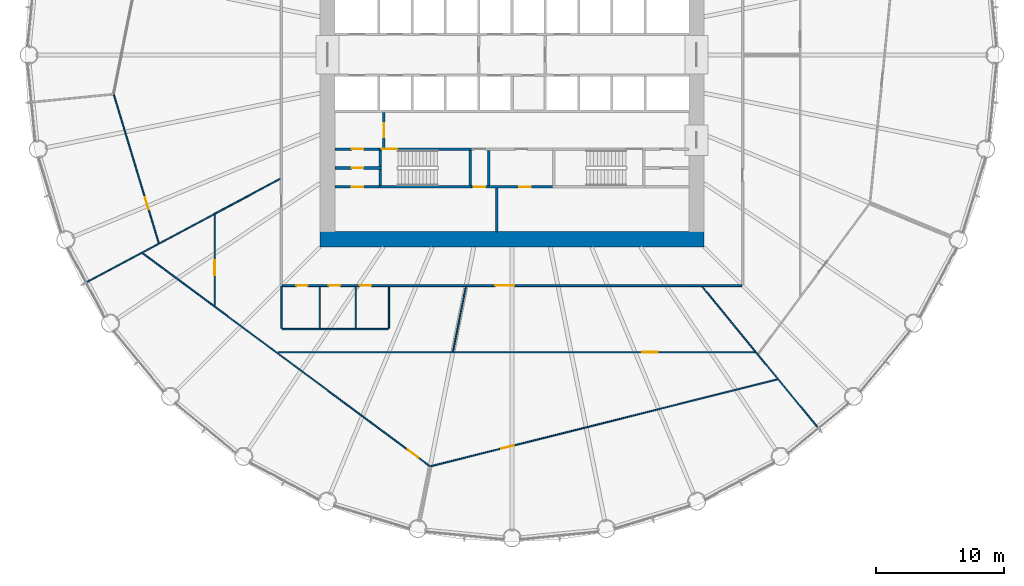
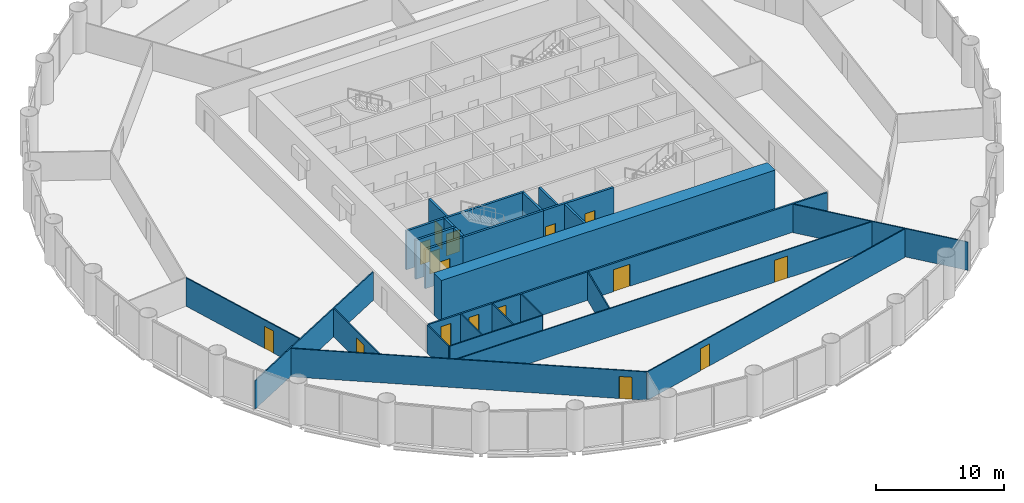
# One storey, part 10 of 15: 27 walls, 16 doors, 16 openings.
"""IFC4 building model written with IfcOpenShell, lengths in metres."""

from ifc_helpers import new_model, si_unit, direction, frame, frame_2d, origin, place, context, subcontext, project, spatial, polyline, rectangle, outline, extrude, material, layer, layer_set, type_object, element, fill, save


model = new_model("IFC4")

# Units and contexts
model_context = context("Model", 3, precision=1e-05, world=origin(), true_north=direction((0.0, 1.0)))
body_context = subcontext(model_context, "Body", "Model", "MODEL_VIEW")
ifc_project = project(units=[si_unit("LENGTHUNIT", "METRE"), si_unit("AREAUNIT", "SQUARE_METRE"), si_unit("VOLUMEUNIT", "CUBIC_METRE"), si_unit("PLANEANGLEUNIT", "RADIAN"), si_unit("MASSUNIT", "GRAM", prefix="KILO")], contexts=[model_context])

# Site, building, storey
site_placement = place(None, origin())
site = spatial("IfcSite", under=ifc_project, at=site_placement, CompositionType="ELEMENT")
building_placement = place(site_placement, origin())
building = spatial("IfcBuilding", under=site, at=building_placement, Name="Corvane Civic Tower", CompositionType="ELEMENT")
storey_placement = place(building_placement, frame((0.0, 0.0, 41.0)))
storey = spatial("IfcBuildingStorey", under=building, at=storey_placement, Name="L08", CompositionType="ELEMENT", Elevation=41.0)

# Wall
ifc_material_1 = material(Name="Concrete C80/95", Category="concrete")
ifc_layer_1 = layer(ifc_material_1, 1.199951171875)
ifc_layer_set_1 = layer_set([ifc_layer_1], Name="Concrete C80/95")
wall_type_1 = type_object("IfcWallType", Name="CORE WALL 1200 C80/95", PredefinedType="SHEAR", material=ifc_layer_set_1)
wall_1_placement = place(storey_placement, frame((-15.0, -14.39990234375, 0.0), z_axis=(0.0, 0.0, 1.0), x_axis=(1.0, 0.0, 0.0)))
element("IfcWall", 1, at=wall_1_placement, inside=storey, type_object=wall_type_1, Name="W-L08-core-S", PredefinedType="SHEAR", context=body_context, shape_type="SweptSolid", body=[
    extrude(rectangle(XDim=30.0, YDim=1.199951171875, at=frame_2d((15.0, 0.0))), origin(), (0.0, 0.0, 1.0), 4.0),
])

# Wall, opening, door
ifc_material_2 = material(Name="Concrete C30/37", Category="concrete")
ifc_layer_2 = layer(ifc_material_2, 0.199951171875)
ifc_layer_set_2 = layer_set([ifc_layer_2], Name="Concrete C30/37")
wall_type_2 = type_object("IfcWallType", Name="CR-WALL-200", PredefinedType="PARTITIONING", material=ifc_layer_set_2)
wall_2_placement = place(storey_placement, frame((-13.800048828125, -10.300048828125, 0.0), z_axis=(0.0, 0.0, 1.0), x_axis=(1.0, 0.0, 0.0)))
wall_2 = element("IfcWall", 2, at=wall_2_placement, inside=storey, type_object=wall_type_2, Name="L08 partition wall", PredefinedType="PARTITIONING", context=body_context, shape_type="SweptSolid", body=[
    extrude(rectangle(XDim=3.400146484375, YDim=0.199951171875, at=frame_2d((1.7001953125, 0.0))), origin(), (0.0, 0.0, 1.0), 3.699951171875),
])
opening_1_placement = place(wall_2_placement, frame((1.300048828125, 0.0, 0.0)))
opening_1 = element("IfcOpeningElement", 3, at=opening_1_placement, cuts=wall_2, Name="Opening L08.C14", PredefinedType="OPENING", context=body_context, shape_type="SweptSolid", body=[
    extrude(rectangle(XDim=0.89990234375, YDim=2.10009765625, at=frame_2d((0.449951171875, 1.050048828125))), frame((0.0, 0.10986328125, 0.0), z_axis=(0.0, -1.0, 0.0), x_axis=(1.0, 0.0, 0.0)), (0.0, 0.0, 1.0), 0.219970703125),
])
ifc_material_3 = material(Name="Steel fire door leaf", Category="steel")
door_type_1 = type_object("IfcDoorType", Name="CR-DOOR-900", OperationType="SINGLE_SWING_LEFT", PredefinedType="DOOR", material=ifc_material_3)
door_1_placement = place(opening_1_placement, origin())
door_1 = element("IfcDoor", 4, at=door_1_placement, inside=storey, type_object=door_type_1, Name="L08 door", OperationType="SINGLE_SWING_LEFT", OverallHeight=2.10009765625, OverallWidth=0.89990234375, PredefinedType="DOOR", context=body_context, shape_type="SweptSolid", body=[
    extrude(rectangle(XDim=0.89990234375, YDim=2.10009765625, at=frame_2d((0.449951171875, 1.050048828125))), frame((0.0, 0.02490234375, 0.0), z_axis=(0.0, -1.0, 0.0), x_axis=(1.0, 0.0, 0.0)), (0.0, 0.0, 1.0), 0.050048828125),
])
fill(opening_1, door_1)

# Wall, openings, doors
wall_3_placement = place(storey_placement, frame((-3.14990234375, -10.300048828125, 0.0), z_axis=(0.0, 0.0, 1.0), x_axis=(1.0, 0.0, 0.0)))
wall_3 = element("IfcWall", 5, at=wall_3_placement, inside=storey, type_object=wall_type_2, Name="L08 partition wall", PredefinedType="PARTITIONING", context=body_context, shape_type="SweptSolid", body=[
    extrude(rectangle(XDim=6.2998046875, YDim=0.199951171875, at=frame_2d((3.14990234375, 0.0))), origin(), (0.0, 0.0, 1.0), 3.699951171875),
])
opening_2_placement = place(wall_3_placement, frame((0.175048828125, 0.0, 0.0)))
opening_2 = element("IfcOpeningElement", 6, at=opening_2_placement, cuts=wall_3, Name="Opening L08.C08", PredefinedType="OPENING", context=body_context, shape_type="SweptSolid", body=[
    extrude(rectangle(XDim=0.89990234375, YDim=2.10009765625, at=frame_2d((0.449951171875, 1.050048828125))), frame((0.0, 0.10986328125, 0.0), z_axis=(0.0, -1.0, 0.0), x_axis=(1.0, 0.0, 0.0)), (0.0, 0.0, 1.0), 0.219970703125),
])
opening_3_placement = place(wall_3_placement, frame((3.72509765625, 0.0, 0.0)))
opening_3 = element("IfcOpeningElement", 7, at=opening_3_placement, cuts=wall_3, Name="Opening L08.C09", PredefinedType="OPENING", context=body_context, shape_type="SweptSolid", body=[
    extrude(rectangle(XDim=0.89990234375, YDim=2.10009765625, at=frame_2d((0.449951171875, 1.050048828125))), frame((0.0, 0.10986328125, 0.0), z_axis=(0.0, -1.0, 0.0), x_axis=(1.0, 0.0, 0.0)), (0.0, 0.0, 1.0), 0.219970703125),
])
door_2_placement = place(opening_2_placement, origin())
door_2 = element("IfcDoor", 8, at=door_2_placement, inside=storey, type_object=door_type_1, Name="L08 door", OperationType="SINGLE_SWING_LEFT", OverallHeight=2.10009765625, OverallWidth=0.89990234375, PredefinedType="DOOR", context=body_context, shape_type="SweptSolid", body=[
    extrude(rectangle(XDim=0.89990234375, YDim=2.10009765625, at=frame_2d((0.449951171875, 1.050048828125))), frame((0.0, 0.02490234375, 0.0), z_axis=(0.0, -1.0, 0.0), x_axis=(1.0, 0.0, 0.0)), (0.0, 0.0, 1.0), 0.050048828125),
])
fill(opening_2, door_2)
door_3_placement = place(opening_3_placement, origin())
door_3 = element("IfcDoor", 9, at=door_3_placement, inside=storey, type_object=door_type_1, Name="L08 door", OperationType="SINGLE_SWING_LEFT", OverallHeight=2.10009765625, OverallWidth=0.89990234375, PredefinedType="DOOR", context=body_context, shape_type="SweptSolid", body=[
    extrude(rectangle(XDim=0.89990234375, YDim=2.10009765625, at=frame_2d((0.449951171875, 1.050048828125))), frame((0.0, 0.02490234375, 0.0), z_axis=(0.0, -1.0, 0.0), x_axis=(1.0, 0.0, 0.0)), (0.0, 0.0, 1.0), 0.050048828125),
])
fill(opening_3, door_3)

# Wall, opening, door
wall_4_placement = place(storey_placement, frame((-13.800048828125, -8.824951171875, 0.0), z_axis=(0.0, 0.0, 1.0), x_axis=(1.0, 0.0, 0.0)))
wall_4 = element("IfcWall", 10, at=wall_4_placement, inside=storey, type_object=wall_type_2, Name="L08 partition wall", PredefinedType="PARTITIONING", context=body_context, shape_type="SweptSolid", body=[
    extrude(rectangle(XDim=3.60009765625, YDim=0.199951171875, at=frame_2d((1.800048828125, 0.0))), origin(), (0.0, 0.0, 1.0), 3.699951171875),
])
opening_4_placement = place(wall_4_placement, frame((1.300048828125, 0.0, 0.0)))
opening_4 = element("IfcOpeningElement", 11, at=opening_4_placement, cuts=wall_4, Name="Opening L08.C13", PredefinedType="OPENING", context=body_context, shape_type="SweptSolid", body=[
    extrude(rectangle(XDim=0.89990234375, YDim=2.10009765625, at=frame_2d((0.449951171875, 1.050048828125))), frame((0.0, 0.10986328125, 0.0), z_axis=(0.0, -1.0, 0.0), x_axis=(1.0, 0.0, 0.0)), (0.0, 0.0, 1.0), 0.219970703125),
])
door_4_placement = place(opening_4_placement, origin())
door_4 = element("IfcDoor", 12, at=door_4_placement, inside=storey, type_object=door_type_1, Name="L08 door", OperationType="SINGLE_SWING_LEFT", OverallHeight=2.10009765625, OverallWidth=0.89990234375, PredefinedType="DOOR", context=body_context, shape_type="SweptSolid", body=[
    extrude(rectangle(XDim=0.89990234375, YDim=2.10009765625, at=frame_2d((0.449951171875, 1.050048828125))), frame((0.0, 0.02490234375, 0.0), z_axis=(0.0, -1.0, 0.0), x_axis=(1.0, 0.0, 0.0)), (0.0, 0.0, 1.0), 0.050048828125),
])
fill(opening_4, door_4)

wall_5_placement = place(storey_placement, frame((-13.800048828125, -7.35009765625, 0.0), z_axis=(0.0, 0.0, 1.0), x_axis=(1.0, 0.0, 0.0)))
wall_5 = element("IfcWall", 13, at=wall_5_placement, inside=storey, type_object=wall_type_2, Name="L08 core partition wall", PredefinedType="PARTITIONING", context=body_context, shape_type="SweptSolid", body=[
    extrude(rectangle(XDim=3.400146484375, YDim=0.199951171875, at=frame_2d((1.7001953125, 0.0))), origin(), (0.0, 0.0, 1.0), 3.699951171875),
])
opening_5_placement = place(wall_5_placement, frame((1.300048828125, 0.0, 0.0)))
opening_5 = element("IfcOpeningElement", 14, at=opening_5_placement, cuts=wall_5, Name="Opening L08.C12", PredefinedType="OPENING", context=body_context, shape_type="SweptSolid", body=[
    extrude(rectangle(XDim=0.89990234375, YDim=2.10009765625, at=frame_2d((0.449951171875, 1.050048828125))), frame((0.0, 0.10986328125, 0.0), z_axis=(0.0, -1.0, 0.0), x_axis=(1.0, 0.0, 0.0)), (0.0, 0.0, 1.0), 0.219970703125),
])
door_5_placement = place(opening_5_placement, origin())
door_5 = element("IfcDoor", 15, at=door_5_placement, inside=storey, type_object=door_type_1, Name="L08 door", OperationType="SINGLE_SWING_LEFT", OverallHeight=2.10009765625, OverallWidth=0.89990234375, PredefinedType="DOOR", context=body_context, shape_type="SweptSolid", body=[
    extrude(rectangle(XDim=0.89990234375, YDim=2.10009765625, at=frame_2d((0.449951171875, 1.050048828125))), frame((0.0, 0.02490234375, 0.0), z_axis=(0.0, -1.0, 0.0), x_axis=(1.0, 0.0, 0.0)), (0.0, 0.0, 1.0), 0.050048828125),
])
fill(opening_5, door_5)

wall_6_placement = place(storey_placement, frame((-10.0, -7.25, 0.0), z_axis=(0.0, 0.0, 1.0), x_axis=(0.0, 1.0, 0.0)))
wall_6 = element("IfcWall", 16, at=wall_6_placement, inside=storey, type_object=wall_type_2, Name="L08 core partition wall", PredefinedType="PARTITIONING", context=body_context, shape_type="SweptSolid", body=[
    extrude(rectangle(XDim=2.75, YDim=0.199951171875, at=frame_2d((1.375, 0.0))), origin(), (0.0, 0.0, 1.0), 3.699951171875),
])
opening_6_placement = place(wall_6_placement, frame((0.824951171875, 0.0, 0.0)))
opening_6 = element("IfcOpeningElement", 17, at=opening_6_placement, cuts=wall_6, Name="Opening L08.C25", PredefinedType="OPENING", context=body_context, shape_type="SweptSolid", body=[
    extrude(rectangle(XDim=1.10009765625, YDim=2.10009765625, at=frame_2d((0.550048828125, 1.050048828125))), frame((0.0, 0.10986328125, 0.0), z_axis=(0.0, -1.0, 0.0), x_axis=(1.0, 0.0, 0.0)), (0.0, 0.0, 1.0), 0.219970703125),
])
ifc_material_4 = material(Name="Steel fire door leaf", Category="steel")
door_type_2 = type_object("IfcDoorType", Name="CR-DOOR-FFL-1100", OperationType="SINGLE_SWING_LEFT", PredefinedType="DOOR", material=ifc_material_4)
door_6_placement = place(opening_6_placement, origin())
door_6 = element("IfcDoor", 18, at=door_6_placement, inside=storey, type_object=door_type_2, Name="L08 lobby door", OperationType="SINGLE_SWING_LEFT", OverallHeight=2.10009765625, OverallWidth=1.10009765625, PredefinedType="DOOR", context=body_context, shape_type="SweptSolid", body=[
    extrude(rectangle(XDim=1.10009765625, YDim=2.10009765625, at=frame_2d((0.550048828125, 1.050048828125))), frame((0.0, 0.02490234375, 0.0), z_axis=(0.0, -1.0, 0.0), x_axis=(1.0, 0.0, 0.0)), (0.0, 0.0, 1.0), 0.050048828125),
])
fill(opening_6, door_6)

# Walls
wall_7_placement = place(storey_placement, origin())
element("IfcWall", 19, at=wall_7_placement, inside=storey, type_object=wall_type_2, Name="L08 core partition wall", PredefinedType="PARTITIONING", context=body_context, shape_type="SweptSolid", body=[
    extrude(outline(polyline([(-1.699951171875, -7.449951171875), (-1.699951171875, -10.199951171875), (-1.89990234375, -10.199951171875), (-1.89990234375, -7.449951171875), (-1.699951171875, -7.449951171875)])), origin(), (0.0, 0.0, 1.0), 3.699951171875),
])
wall_8_placement = place(storey_placement, origin())
element("IfcWall", 20, at=wall_8_placement, inside=storey, type_object=wall_type_2, Name="L08 core partition wall", PredefinedType="PARTITIONING", context=body_context, shape_type="SweptSolid", body=[
    extrude(outline(polyline([(-1.10009765625, -13.800048828125), (-1.300048828125, -13.800048828125), (-1.300048828125, -10.39990234375), (-1.10009765625, -10.39990234375), (-1.10009765625, -13.800048828125)])), origin(), (0.0, 0.0, 1.0), 3.699951171875),
])

# Wall, opening, door
ifc_material_5 = material(Name="Plasterboard")
ifc_layer_3 = layer(ifc_material_5, 0.10009765625)
ifc_layer_set_3 = layer_set([ifc_layer_3], Name="Plasterboard")
wall_type_3 = type_object("IfcWallType", Name="Partition 100 plasterboard on studs", PredefinedType="PARTITIONING", material=ifc_layer_set_3)
wall_9_placement = place(storey_placement, frame((-6.357421875, -32.107177734375, 0.0), z_axis=(0.0, 0.0, 1.0), x_axis=(0.970030139122, 0.242984627485, 0.0)))
wall_9 = element("IfcWall", 21, at=wall_9_placement, inside=storey, type_object=wall_type_3, Name="Partition L08.002", PredefinedType="PARTITIONING", context=body_context, shape_type="SweptSolid", body=[
    extrude(rectangle(XDim=27.88916015625, YDim=0.10009765625, at=frame_2d((13.944580078125, 0.0))), origin(), (0.0, 0.0, 1.0), 2.699951171875),
])
opening_7_placement = place(wall_9_placement, frame((5.68017578125, 0.0, 0.0)))
opening_7 = element("IfcOpeningElement", 22, at=opening_7_placement, cuts=wall_9, Name="Opening L08.007", PredefinedType="OPENING", context=body_context, shape_type="SweptSolid", body=[
    extrude(rectangle(XDim=1.0, YDim=2.10009765625, at=frame_2d((0.5, 1.050048828125))), frame((0.0, 0.06005859375, 0.0), z_axis=(0.0, -1.0, 0.0), x_axis=(1.0, 0.0, 0.0)), (0.0, 0.0, 1.0), 0.1201171875),
])
ifc_material_6 = material(Name="Timber", Category="wood")
door_type_3 = type_object("IfcDoorType", Name="Single door 1000", OperationType="NOTDEFINED", PredefinedType="DOOR", material=ifc_material_6)
door_7_placement = place(opening_7_placement, frame((1.0, 0.0, 0.0), z_axis=(0.0, 0.0, 1.0), x_axis=(-1.0, 0.0, 0.0)))
door_7 = element("IfcDoor", 23, at=door_7_placement, inside=storey, type_object=door_type_3, Name="Door L08.007", OperationType="SINGLE_SWING_RIGHT", OverallHeight=2.10009765625, OverallWidth=1.0, PredefinedType="DOOR", context=body_context, shape_type="SweptSolid", body=[
    extrude(rectangle(XDim=1.0, YDim=2.10009765625, at=frame_2d((0.5, 1.050048828125))), frame((0.0, 0.02490234375, 0.0), z_axis=(0.0, -1.0, 0.0), x_axis=(1.0, 0.0, 0.0)), (0.0, 0.0, 1.0), 0.050048828125),
])
fill(opening_7, door_7)

wall_10_placement = place(storey_placement, frame((-28.814208984375, -15.482421875, 0.0), z_axis=(0.0, 0.0, 1.0), x_axis=(0.803206118152, -0.595701210141, 0.0)))
wall_10 = element("IfcWall", 24, at=wall_10_placement, inside=storey, type_object=wall_type_3, Name="Partition L08.003", PredefinedType="PARTITIONING", context=body_context, shape_type="SweptSolid", body=[
    extrude(rectangle(XDim=27.888916015625, YDim=0.10009765625, at=frame_2d((13.9443359375, 0.0))), origin(), (0.0, 0.0, 1.0), 2.699951171875),
])
opening_8_placement = place(wall_10_placement, frame((25.738525390625, 0.0, 0.0)))
opening_8 = element("IfcOpeningElement", 25, at=opening_8_placement, cuts=wall_10, Name="Opening L08.008", PredefinedType="OPENING", context=body_context, shape_type="SweptSolid", body=[
    extrude(rectangle(XDim=1.0, YDim=2.10009765625, at=frame_2d((0.5, 1.050048828125))), frame((0.0, 0.06005859375, 0.0), z_axis=(0.0, -1.0, 0.0), x_axis=(1.0, 0.0, 0.0)), (0.0, 0.0, 1.0), 0.1201171875),
])
door_8_placement = place(opening_8_placement, frame((1.0, 0.0, 0.0), z_axis=(0.0, 0.0, 1.0), x_axis=(-1.0, 0.0, 0.0)))
door_8 = element("IfcDoor", 26, at=door_8_placement, inside=storey, type_object=door_type_3, Name="Door L08.008", OperationType="SINGLE_SWING_LEFT", OverallHeight=2.10009765625, OverallWidth=1.0, PredefinedType="DOOR", context=body_context, shape_type="SweptSolid", body=[
    extrude(rectangle(XDim=1.0, YDim=2.10009765625, at=frame_2d((0.5, 1.050048828125))), frame((0.0, 0.02490234375, 0.0), z_axis=(0.0, -1.0, 0.0), x_axis=(1.0, 0.0, 0.0)), (0.0, 0.0, 1.0), 0.050048828125),
])
fill(opening_8, door_8)

# Wall
wall_11_placement = place(storey_placement, frame((14.85986328125, -18.106689453125, 0.0), z_axis=(0.0, 0.0, 1.0), x_axis=(0.634382026384, -0.773019692246, 0.0)))
element("IfcWall", 27, at=wall_11_placement, inside=storey, type_object=wall_type_3, Name="Partition L08.004", PredefinedType="PARTITIONING", context=body_context, shape_type="SweptSolid", body=[
    extrude(rectangle(XDim=14.5263671875, YDim=0.10009765625, at=frame_2d((7.26318359375, 0.0))), origin(), (0.0, 0.0, 1.0), 2.699951171875),
])

# Wall, opening, door
wall_12_placement = place(storey_placement, frame((-18.2568359375, -23.199951171875, 0.0), z_axis=(0.0, 0.0, 1.0), x_axis=(1.0, 0.0, 0.0)))
wall_12 = element("IfcWall", 28, at=wall_12_placement, inside=storey, type_object=wall_type_3, Name="Partition L08.006", PredefinedType="PARTITIONING", context=body_context, shape_type="SweptSolid", body=[
    extrude(rectangle(XDim=37.19091796875, YDim=0.10009765625, at=frame_2d((18.595458984375, 0.0))), origin(), (0.0, 0.0, 1.0), 2.699951171875),
])
opening_9_placement = place(wall_12_placement, frame((28.431640625, 0.0, 0.0)))
opening_9 = element("IfcOpeningElement", 29, at=opening_9_placement, cuts=wall_12, Name="Opening L08.009", PredefinedType="OPENING", context=body_context, shape_type="SweptSolid", body=[
    extrude(rectangle(XDim=1.199951171875, YDim=2.10009765625, at=frame_2d((0.60009765625, 1.050048828125))), frame((0.0, 0.06005859375, 0.0), z_axis=(0.0, -1.0, 0.0), x_axis=(1.0, 0.0, 0.0)), (0.0, 0.0, 1.0), 0.1201171875),
])
ifc_material_7 = material(Name="Timber", Category="wood")
door_type_4 = type_object("IfcDoorType", Name="Double door 1200", OperationType="NOTDEFINED", PredefinedType="DOOR", material=ifc_material_7)
door_9_placement = place(opening_9_placement, frame((1.199951171875, 0.0, 0.0), z_axis=(0.0, 0.0, 1.0), x_axis=(-1.0, 0.0, 0.0)))
door_9 = element("IfcDoor", 30, at=door_9_placement, inside=storey, type_object=door_type_4, Name="Door L08.009", OperationType="DOUBLE_DOOR_SINGLE_SWING", OverallHeight=2.10009765625, OverallWidth=1.199951171875, PredefinedType="DOOR", context=body_context, shape_type="SweptSolid", body=[
    extrude(rectangle(XDim=1.199951171875, YDim=2.10009765625, at=frame_2d((0.60009765625, 1.050048828125))), frame((0.0, 0.02490234375, 0.0), z_axis=(0.0, -1.0, 0.0), x_axis=(1.0, 0.0, 0.0)), (0.0, 0.0, 1.0), 0.050048828125),
])
fill(opening_9, door_9)

# Walls
wall_13_placement = place(storey_placement, frame((-4.602783203125, -23.14013671875, 0.0), z_axis=(0.0, 0.0, 1.0), x_axis=(0.195050300092, 0.98079324041, 0.0)))
element("IfcWall", 31, at=wall_13_placement, inside=storey, type_object=wall_type_3, Name="Partition L08.007", PredefinedType="PARTITIONING", context=body_context, shape_type="SweptSolid", body=[
    extrude(rectangle(XDim=5.154541015625, YDim=0.10009765625, at=frame_2d((2.5771484375, 0.0))), origin(), (0.0, 0.0, 1.0), 2.699951171875),
])
wall_14_placement = place(storey_placement, frame((-17.949951171875, -21.39990234375, 0.0), z_axis=(0.0, 0.0, 1.0), x_axis=(1.0, 0.0, 0.0)))
element("IfcWall", 32, at=wall_14_placement, inside=storey, type_object=wall_type_3, Name="Partition L08.008", PredefinedType="PARTITIONING", context=body_context, shape_type="SweptSolid", body=[
    extrude(rectangle(XDim=8.300048828125, YDim=0.10009765625, at=frame_2d((4.14990234375, 0.0))), origin(), (0.0, 0.0, 1.0), 2.699951171875),
])
wall_15_placement = place(storey_placement, frame((-18.0, -21.35009765625, 0.0), z_axis=(0.0, 0.0, 1.0), x_axis=(0.0, 1.0, 0.0)))
element("IfcWall", 33, at=wall_15_placement, inside=storey, type_object=wall_type_3, Name="Partition L08.009", PredefinedType="PARTITIONING", context=body_context, shape_type="SweptSolid", body=[
    extrude(rectangle(XDim=3.300048828125, YDim=0.10009765625, at=frame_2d((1.64990234375, 0.0))), origin(), (0.0, 0.0, 1.0), 2.699951171875),
])
for number, where, z_axis, x_axis, name in (
    (34, (-15.0, -21.35009765625, 0.0), (0.0, 0.0, 1.0), (0.0, 1.0, 0.0), "Partition L08.010"),
    (35, (-12.199951171875, -21.35009765625, 0.0), (0.0, 0.0, 1.0), (0.0, 1.0, 0.0), "Partition L08.011"),
    (36, (-9.60009765625, -21.35009765625, 0.0), (0.0, 0.0, 1.0), (0.0, 1.0, 0.0), "Partition L08.012"),
):
    element("IfcWall", number, at=place(storey_placement, frame(where, z_axis=z_axis, x_axis=x_axis)), inside=storey, type_object=wall_type_3, Name=name, PredefinedType="PARTITIONING", context=body_context, shape_type="SweptSolid", body=[
        extrude(rectangle(XDim=3.275146484375, YDim=0.10009765625, at=frame_2d((1.6376953125, 0.0))), origin(), (0.0, 0.0, 1.0), 2.699951171875),
    ])

# Wall, opening, door
wall_16_placement = place(storey_placement, frame((-23.199951171875, -19.546875, 0.0), z_axis=(0.0, 0.0, 1.0), x_axis=(0.0, 1.0, 0.0)))
wall_16 = element("IfcWall", 37, at=wall_16_placement, inside=storey, type_object=wall_type_3, Name="Partition L08.013", PredefinedType="PARTITIONING", context=body_context, shape_type="SweptSolid", body=[
    extrude(rectangle(XDim=7.062744140625, YDim=0.10009765625, at=frame_2d((3.53125, 0.0))), origin(), (0.0, 0.0, 1.0), 2.699951171875),
])
opening_10_placement = place(wall_16_placement, frame((2.335205078125, 0.0, 0.0)))
opening_10 = element("IfcOpeningElement", 38, at=opening_10_placement, cuts=wall_16, Name="Opening L08.010", PredefinedType="OPENING", context=body_context, shape_type="SweptSolid", body=[
    extrude(rectangle(XDim=1.199951171875, YDim=2.10009765625, at=frame_2d((0.60009765625, 1.050048828125))), frame((0.0, 0.06005859375, 0.0), z_axis=(0.0, -1.0, 0.0), x_axis=(1.0, 0.0, 0.0)), (0.0, 0.0, 1.0), 0.1201171875),
])
door_10_placement = place(opening_10_placement, origin())
door_10 = element("IfcDoor", 39, at=door_10_placement, inside=storey, type_object=door_type_4, Name="Door L08.010", OperationType="DOUBLE_DOOR_SINGLE_SWING", OverallHeight=2.10009765625, OverallWidth=1.199951171875, PredefinedType="DOOR", context=body_context, shape_type="SweptSolid", body=[
    extrude(rectangle(XDim=1.199951171875, YDim=2.10009765625, at=frame_2d((0.60009765625, 1.050048828125))), frame((0.0, 0.02490234375, 0.0), z_axis=(0.0, -1.0, 0.0), x_axis=(1.0, 0.0, 0.0)), (0.0, 0.0, 1.0), 0.050048828125),
])
fill(opening_10, door_10)

# Wall
wall_17_placement = place(storey_placement, frame((-33.468994140625, -17.8896484375, 0.0), z_axis=(0.0, 0.0, 1.0), x_axis=(0.881916707753, 0.471405261517, 0.0)))
element("IfcWall", 40, at=wall_17_placement, inside=storey, type_object=wall_type_3, Name="Partition L08.018", PredefinedType="PARTITIONING", context=body_context, shape_type="SweptSolid", body=[
    extrude(rectangle(XDim=17.428466796875, YDim=0.10009765625, at=frame_2d((8.71435546875, 0.0))), origin(), (0.0, 0.0, 1.0), 2.699951171875),
])

# Wall, opening, door
wall_18_placement = place(storey_placement, frame((-31.07958984375, -3.1015625, 0.0), z_axis=(0.0, 0.0, 1.0), x_axis=(0.290268601129, -0.956945212224, 0.0)))
wall_18 = element("IfcWall", 41, at=wall_18_placement, inside=storey, type_object=wall_type_3, Name="Partition L08.019", PredefinedType="PARTITIONING", context=body_context, shape_type="SweptSolid", body=[
    extrude(rectangle(XDim=12.088134765625, YDim=0.10009765625, at=frame_2d((6.0439453125, 0.0))), origin(), (0.0, 0.0, 1.0), 2.699951171875),
])
opening_11_placement = place(wall_18_placement, frame((8.37109375, 0.0, 0.0)))
opening_11 = element("IfcOpeningElement", 42, at=opening_11_placement, cuts=wall_18, Name="Opening L08.016", PredefinedType="OPENING", context=body_context, shape_type="SweptSolid", body=[
    extrude(rectangle(XDim=1.0, YDim=2.10009765625, at=frame_2d((0.5, 1.050048828125))), frame((0.0, 0.06005859375, 0.0), z_axis=(0.0, -1.0, 0.0), x_axis=(1.0, 0.0, 0.0)), (0.0, 0.0, 1.0), 0.1201171875),
])
door_11_placement = place(opening_11_placement, frame((1.0, 0.0, 0.0), z_axis=(0.0, 0.0, 1.0), x_axis=(-1.0, 0.0, 0.0)))
door_11 = element("IfcDoor", 43, at=door_11_placement, inside=storey, type_object=door_type_3, Name="Door L08.016", OperationType="SINGLE_SWING_RIGHT", OverallHeight=2.10009765625, OverallWidth=1.0, PredefinedType="DOOR", context=body_context, shape_type="SweptSolid", body=[
    extrude(rectangle(XDim=1.0, YDim=2.10009765625, at=frame_2d((0.5, 1.050048828125))), frame((0.0, 0.02490234375, 0.0), z_axis=(0.0, -1.0, 0.0), x_axis=(1.0, 0.0, 0.0)), (0.0, 0.0, 1.0), 0.050048828125),
])
fill(opening_11, door_11)

ifc_material_8 = material(Name="Concrete C50/60", Category="concrete")
ifc_layer_4 = layer(ifc_material_8, 0.199951171875)
ifc_layer_set_4 = layer_set([ifc_layer_4], Name="Concrete C50/60")
wall_type_4 = type_object("IfcWallType", Name="ST-WALL-200", PredefinedType="SHEAR", material=ifc_layer_set_4)
wall_19_placement = place(storey_placement, frame((-10.39990234375, -7.35009765625, 0.0), z_axis=(0.0, 0.0, 1.0), x_axis=(1.0, 0.0, 0.0)))
wall_19 = element("IfcWall", 44, at=wall_19_placement, inside=storey, type_object=wall_type_4, Name="L08 stair enclosure wall", PredefinedType="SHEAR", context=body_context, shape_type="SweptSolid", body=[
    extrude(rectangle(XDim=7.25, YDim=0.199951171875, at=frame_2d((3.625, 0.0))), origin(), (0.0, 0.0, 1.0), 3.699951171875),
])
opening_12_placement = place(wall_19_placement, frame((0.25, 0.0, 0.0)))
opening_12 = element("IfcOpeningElement", 45, at=opening_12_placement, cuts=wall_19, Name="Opening L08.C22", PredefinedType="OPENING", context=body_context, shape_type="SweptSolid", body=[
    extrude(rectangle(XDim=1.199951171875, YDim=2.10009765625, at=frame_2d((0.60009765625, 1.050048828125))), frame((0.0, 0.10986328125, 0.0), z_axis=(0.0, -1.0, 0.0), x_axis=(1.0, 0.0, 0.0)), (0.0, 0.0, 1.0), 0.219970703125),
])
ifc_material_9 = material(Name="Steel fire door leaf", Category="steel")
door_type_5 = type_object("IfcDoorType", Name="ST-DOOR-1200", OperationType="SINGLE_SWING_RIGHT", PredefinedType="DOOR", material=ifc_material_9)
door_12_placement = place(opening_12_placement, origin())
door_12 = element("IfcDoor", 46, at=door_12_placement, inside=storey, type_object=door_type_5, Name="L08 stair door", OperationType="SINGLE_SWING_RIGHT", OverallHeight=2.10009765625, OverallWidth=1.199951171875, PredefinedType="DOOR", context=body_context, shape_type="SweptSolid", body=[
    extrude(rectangle(XDim=1.199951171875, YDim=2.10009765625, at=frame_2d((0.60009765625, 1.050048828125))), frame((0.0, 0.02490234375, 0.0), z_axis=(0.0, -1.0, 0.0), x_axis=(1.0, 0.0, 0.0)), (0.0, 0.0, 1.0), 0.050048828125),
])
fill(opening_12, door_12)

# Walls
wall_20_placement = place(storey_placement, origin())
element("IfcWall", 47, at=wall_20_placement, inside=storey, type_object=wall_type_4, Name="L08 stair enclosure wall", PredefinedType="SHEAR", context=body_context, shape_type="SweptSolid", body=[
    extrude(outline(polyline([(-3.14990234375, -10.199951171875), (-3.14990234375, -10.39990234375), (-10.39990234375, -10.39990234375), (-10.39990234375, -10.199951171875), (-3.14990234375, -10.199951171875)])), origin(), (0.0, 0.0, 1.0), 3.699951171875),
])
wall_21_placement = place(storey_placement, origin())
element("IfcWall", 48, at=wall_21_placement, inside=storey, type_object=wall_type_4, Name="L08 stair enclosure wall", PredefinedType="SHEAR", context=body_context, shape_type="SweptSolid", body=[
    extrude(outline(polyline([(-3.14990234375, -7.449951171875), (-3.14990234375, -10.199951171875), (-3.35009765625, -10.199951171875), (-3.35009765625, -7.449951171875), (-3.14990234375, -7.449951171875)])), origin(), (0.0, 0.0, 1.0), 3.699951171875),
])
wall_22_placement = place(storey_placement, origin())
element("IfcWall", 49, at=wall_22_placement, inside=storey, type_object=wall_type_4, Name="L08 stair enclosure wall", PredefinedType="SHEAR", context=body_context, shape_type="SweptSolid", body=[
    extrude(outline(polyline([(-10.199951171875, -7.449951171875), (-10.199951171875, -8.72509765625), (-10.39990234375, -8.72509765625), (-10.39990234375, -7.449951171875), (-10.199951171875, -7.449951171875)])), origin(), (0.0, 0.0, 1.0), 3.699951171875),
])
wall_23_placement = place(storey_placement, origin())
element("IfcWall", 50, at=wall_23_placement, inside=storey, type_object=wall_type_4, Name="L08 stair enclosure wall", PredefinedType="SHEAR", context=body_context, shape_type="SweptSolid", body=[
    extrude(outline(polyline([(-10.199951171875, -8.925048828125), (-10.199951171875, -10.199951171875), (-10.39990234375, -10.199951171875), (-10.39990234375, -8.925048828125), (-10.199951171875, -8.925048828125)])), origin(), (0.0, 0.0, 1.0), 3.699951171875),
])

# Wall, openings, doors
ifc_material_10 = material(Name="Plasterboard")
ifc_layer_5 = layer(ifc_material_10, 0.14990234375)
ifc_layer_set_5 = layer_set([ifc_layer_5], Name="Plasterboard")
wall_type_5 = type_object("IfcWallType", Name="Tenancy wall 150 EI 60", PredefinedType="PARTITIONING", material=ifc_layer_set_5)
wall_24_placement = place(storey_placement, frame((-17.925048828125, -18.0, 0.0), z_axis=(0.0, 0.0, 1.0), x_axis=(1.0, 0.0, 0.0)))
wall_24 = element("IfcWall", 51, at=wall_24_placement, inside=storey, type_object=wall_type_5, Name="Partition L08.015", PredefinedType="PARTITIONING", context=body_context, shape_type="SweptSolid", body=[
    extrude(rectangle(XDim=35.85009765625, YDim=0.14990234375, at=frame_2d((17.925048828125, 0.0))), origin(), (0.0, 0.0, 1.0), 2.699951171875),
])
opening_13_placement = place(wall_24_placement, frame((16.603759765625, 0.0, 0.0)))
opening_13 = element("IfcOpeningElement", 52, at=opening_13_placement, cuts=wall_24, Name="Opening L08.011", PredefinedType="OPENING", context=body_context, shape_type="SweptSolid", body=[
    extrude(rectangle(XDim=1.5, YDim=2.10009765625, at=frame_2d((0.75, 1.050048828125))), frame((0.0, 0.0849609375, 0.0), z_axis=(0.0, -1.0, 0.0), x_axis=(1.0, 0.0, 0.0)), (0.0, 0.0, 1.0), 0.169921875),
])
opening_14_placement = place(wall_24_placement, frame((1.099365234375, 0.0, 0.0)))
opening_14 = element("IfcOpeningElement", 53, at=opening_14_placement, cuts=wall_24, Name="Opening L08.013", PredefinedType="OPENING", context=body_context, shape_type="SweptSolid", body=[
    extrude(rectangle(XDim=0.89990234375, YDim=2.10009765625, at=frame_2d((0.449951171875, 1.050048828125))), frame((0.0, 0.0849609375, 0.0), z_axis=(0.0, -1.0, 0.0), x_axis=(1.0, 0.0, 0.0)), (0.0, 0.0, 1.0), 0.169921875),
])
opening_15_placement = place(wall_24_placement, frame((3.62158203125, 0.0, 0.0)))
opening_15 = element("IfcOpeningElement", 54, at=opening_15_placement, cuts=wall_24, Name="Opening L08.014", PredefinedType="OPENING", context=body_context, shape_type="SweptSolid", body=[
    extrude(rectangle(XDim=0.89990234375, YDim=2.10009765625, at=frame_2d((0.449951171875, 1.050048828125))), frame((0.0, 0.0849609375, 0.0), z_axis=(0.0, -1.0, 0.0), x_axis=(1.0, 0.0, 0.0)), (0.0, 0.0, 1.0), 0.169921875),
])
opening_16_placement = place(wall_24_placement, frame((6.056396484375, 0.0, 0.0)))
opening_16 = element("IfcOpeningElement", 55, at=opening_16_placement, cuts=wall_24, Name="Opening L08.015", PredefinedType="OPENING", context=body_context, shape_type="SweptSolid", body=[
    extrude(rectangle(XDim=0.89990234375, YDim=2.10009765625, at=frame_2d((0.449951171875, 1.050048828125))), frame((0.0, 0.0849609375, 0.0), z_axis=(0.0, -1.0, 0.0), x_axis=(1.0, 0.0, 0.0)), (0.0, 0.0, 1.0), 0.169921875),
])
ifc_material_11 = material(Name="Steel and timber", Category="steel")
door_type_6 = type_object("IfcDoorType", Name="Fire door FD30S 900", OperationType="NOTDEFINED", PredefinedType="DOOR", material=ifc_material_11)
door_13_placement = place(opening_14_placement, frame((0.89990234375, 0.0, 0.0), z_axis=(0.0, 0.0, 1.0), x_axis=(-1.0, 0.0, 0.0)))
door_13 = element("IfcDoor", 56, at=door_13_placement, inside=storey, type_object=door_type_6, Name="Door L08.013", OperationType="SINGLE_SWING_RIGHT", OverallHeight=2.10009765625, OverallWidth=0.89990234375, PredefinedType="DOOR", context=body_context, shape_type="SweptSolid", body=[
    extrude(rectangle(XDim=0.89990234375, YDim=2.10009765625, at=frame_2d((0.449951171875, 1.050048828125))), frame((0.0, 0.02490234375, 0.0), z_axis=(0.0, -1.0, 0.0), x_axis=(1.0, 0.0, 0.0)), (0.0, 0.0, 1.0), 0.050048828125),
])
fill(opening_14, door_13)
door_14_placement = place(opening_15_placement, frame((0.89990234375, 0.0, 0.0), z_axis=(0.0, 0.0, 1.0), x_axis=(-1.0, 0.0, 0.0)))
door_14 = element("IfcDoor", 57, at=door_14_placement, inside=storey, type_object=door_type_6, Name="Door L08.014", OperationType="SINGLE_SWING_LEFT", OverallHeight=2.10009765625, OverallWidth=0.89990234375, PredefinedType="DOOR", context=body_context, shape_type="SweptSolid", body=[
    extrude(rectangle(XDim=0.89990234375, YDim=2.10009765625, at=frame_2d((0.449951171875, 1.050048828125))), frame((0.0, 0.02490234375, 0.0), z_axis=(0.0, -1.0, 0.0), x_axis=(1.0, 0.0, 0.0)), (0.0, 0.0, 1.0), 0.050048828125),
])
fill(opening_15, door_14)
door_15_placement = place(opening_16_placement, frame((0.89990234375, 0.0, 0.0), z_axis=(0.0, 0.0, 1.0), x_axis=(-1.0, 0.0, 0.0)))
door_15 = element("IfcDoor", 58, at=door_15_placement, inside=storey, type_object=door_type_6, Name="Door L08.015", OperationType="SINGLE_SWING_LEFT", OverallHeight=2.10009765625, OverallWidth=0.89990234375, PredefinedType="DOOR", context=body_context, shape_type="SweptSolid", body=[
    extrude(rectangle(XDim=0.89990234375, YDim=2.10009765625, at=frame_2d((0.449951171875, 1.050048828125))), frame((0.0, 0.02490234375, 0.0), z_axis=(0.0, -1.0, 0.0), x_axis=(1.0, 0.0, 0.0)), (0.0, 0.0, 1.0), 0.050048828125),
])
fill(opening_16, door_15)
ifc_material_12 = material(Name="Steel and timber", Category="steel")
door_type_7 = type_object("IfcDoorType", Name="Fire door FD60 double 1500", OperationType="NOTDEFINED", PredefinedType="DOOR", material=ifc_material_12)
door_16_placement = place(opening_13_placement, frame((1.5, 0.0, 0.0), z_axis=(0.0, 0.0, 1.0), x_axis=(-1.0, 0.0, 0.0)))
door_16 = element("IfcDoor", 59, at=door_16_placement, inside=storey, type_object=door_type_7, Name="Door L08.011", OperationType="DOUBLE_DOOR_SINGLE_SWING", OverallHeight=2.10009765625, OverallWidth=1.5, PredefinedType="DOOR", context=body_context, shape_type="SweptSolid", body=[
    extrude(rectangle(XDim=1.5, YDim=2.10009765625, at=frame_2d((0.75, 1.050048828125))), frame((0.0, 0.02490234375, 0.0), z_axis=(0.0, -1.0, 0.0), x_axis=(1.0, 0.0, 0.0)), (0.0, 0.0, 1.0), 0.050048828125),
])
fill(opening_13, door_16)

save(model, "model.ifc")
